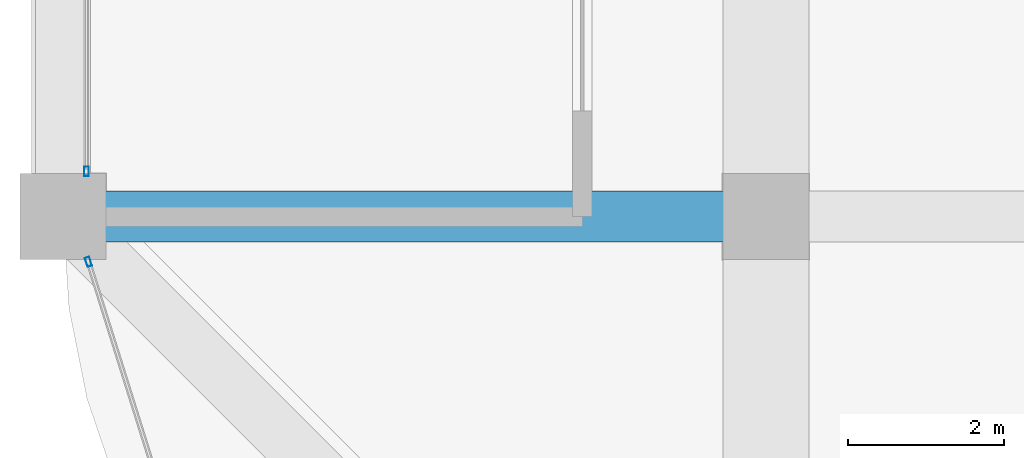
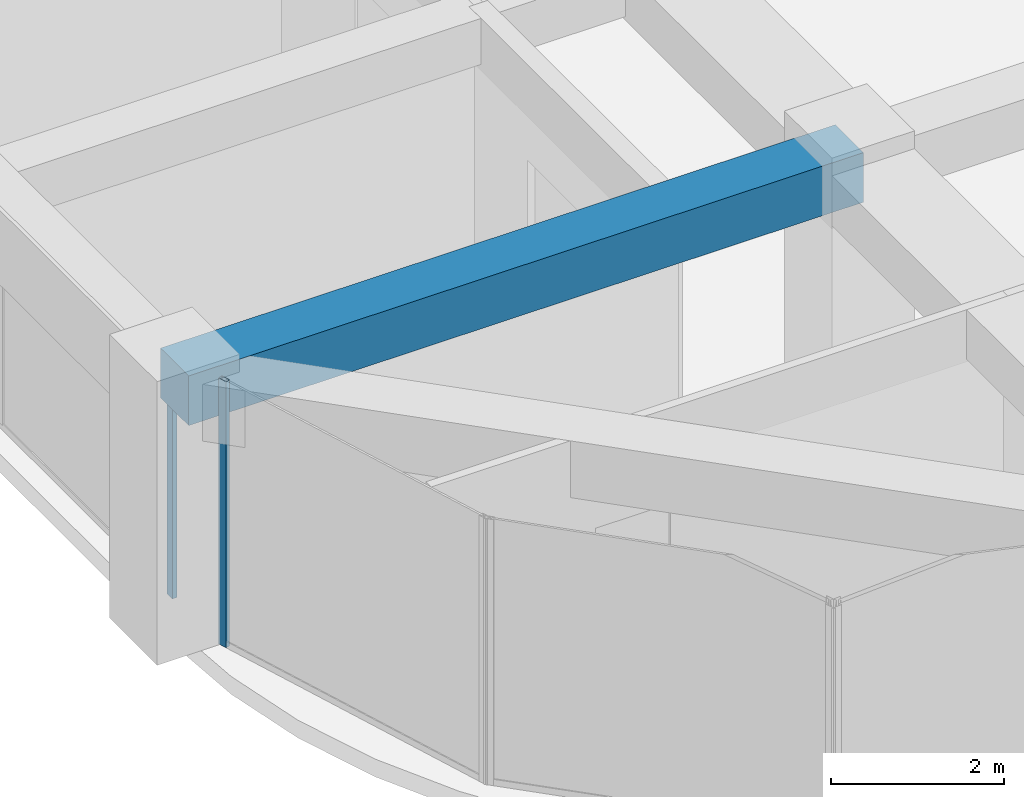
# One storey, part 6 of 44: 2 members, 1 beam, 2 elements without a shape of their own.
"""IFC4 building model written with IfcOpenShell, lengths in metres."""

from ifc_helpers import new_model, si_unit, direction, frame, origin, origin_2d, place, context, subcontext, project, spatial, rectangle, hollow_rectangle, extrude, material, material_profile, profile_set, type_object, element, aggregate, save


model = new_model("IFC4")

# Units and contexts
model_context = context("Model", 3, precision=1e-05, world=origin(), true_north=direction((0.0, 1.0)))
body_context = subcontext(model_context, "Body", "Model", "MODEL_VIEW")
ifc_project = project(units=[si_unit("LENGTHUNIT", "METRE"), si_unit("AREAUNIT", "SQUARE_METRE"), si_unit("VOLUMEUNIT", "CUBIC_METRE"), si_unit("PLANEANGLEUNIT", "RADIAN"), si_unit("MASSUNIT", "GRAM", prefix="KILO")], contexts=[model_context])

# Site, building, storey
site_placement = place(None, origin())
site = spatial("IfcSite", under=ifc_project, at=site_placement, CompositionType="ELEMENT")
building_placement = place(site_placement, origin())
building = spatial("IfcBuilding", under=site, at=building_placement, Name="Zorevar Civic Tower", CompositionType="ELEMENT")
storey_placement = place(building_placement, frame((0.0, 0.0, 275.39990234375)))
storey = spatial("IfcBuildingStorey", under=building, at=storey_placement, Name="L67", CompositionType="ELEMENT", Elevation=275.39990234375)

# Beam
ifc_material_1 = material(Name="Concrete C50/60", Category="concrete")
ifc_material_profile_1 = material_profile(ifc_material_1, rectangle(XDim=0.64990234375, YDim=0.699951171875, at=origin_2d()), Name="RC 650x700")
ifc_profile_set_1 = profile_set([ifc_material_profile_1], Name="Concrete C50/60")
beam_type = type_object("IfcBeamType", Name="Beam RC 650x700", PredefinedType="BEAM", material=ifc_profile_set_1)
beam_placement = place(storey_placement, frame((9.0, 9.0, 3.400146484375), z_axis=(1.0, 0.0, 0.0), x_axis=(0.0, 1.0, 0.0)))
element("IfcBeam", 1, at=beam_placement, inside=storey, type_object=beam_type, Name="Girder L68", PredefinedType="BEAM", context=body_context, shape_type="SweptSolid", body=[
    extrude(rectangle(XDim=0.64990234375, YDim=0.699951171875, at=origin_2d()), origin(), (0.0, 0.0, 1.0), 9.0),
])

# Curtain wall, member
ifc_material_2 = material(Name="Dark grey solar-control glass in black aluminium frame", Category="aluminium")
curtain_wall_type = type_object("IfcCurtainWallType", Name="Curtain wall CW5 top zone", PredefinedType="NOTDEFINED", material=ifc_material_2)
curtain_wall_1_placement = place(storey_placement, origin())
curtain_wall_1 = element("IfcCurtainWall", 2, at=curtain_wall_1_placement, inside=storey, type_object=curtain_wall_type, Name="CW5 L67", PredefinedType="NOTDEFINED")
ifc_material_3 = material(Name="Aluminium, black anodised", Category="aluminium")
ifc_material_profile_2 = material_profile(ifc_material_3, hollow_rectangle(XDim=0.06005859375, YDim=0.1201171875, WallThickness=0.0029296875, at=origin_2d()), Name="AL 120x60x3")
ifc_profile_set_2 = profile_set([ifc_material_profile_2], Name="Aluminium, black anodised")
member_type = type_object("IfcMemberType", Name="CW5 mullion AL 120x60x3", PredefinedType="MULLION", material=ifc_profile_set_2)
member_1_placement = place(storey_placement, frame((9.300048828125, 9.580078125, 0.0), z_axis=(0.0, 0.0, 1.0), x_axis=(-1.0, 0.0, 0.0)))
member_1 = element("IfcMember", 3, at=member_1_placement, type_object=member_type, Name="CW5 mullion 1", PredefinedType="MULLION", context=body_context, shape_type="SweptSolid", body=[
    extrude(hollow_rectangle(XDim=0.06005859375, YDim=0.1201171875, WallThickness=0.0029296875, at=origin_2d()), origin(), (0.0, 0.0, 1.0), 2.9501953125),
])
aggregate(curtain_wall_1, [member_1])

curtain_wall_2_placement = place(storey_placement, origin())
curtain_wall_2 = element("IfcCurtainWall", 4, at=curtain_wall_2_placement, inside=storey, type_object=curtain_wall_type, Name="CW5 L67", PredefinedType="NOTDEFINED")
member_2_placement = place(storey_placement, frame((9.326416015625, 8.42138671875, 0.0), z_axis=(0.0, 0.0, 1.0), x_axis=(0.954153437674, 0.299317920238, 0.0)))
member_2 = element("IfcMember", 5, at=member_2_placement, type_object=member_type, Name="CW5 mullion 1", PredefinedType="MULLION", context=body_context, shape_type="SweptSolid", body=[
    extrude(hollow_rectangle(XDim=0.06005859375, YDim=0.1201171875, WallThickness=0.0029296875, at=origin_2d()), origin(), (0.0, 0.0, 1.0), 3.75),
])
aggregate(curtain_wall_2, [member_2])

save(model, "model.ifc")
